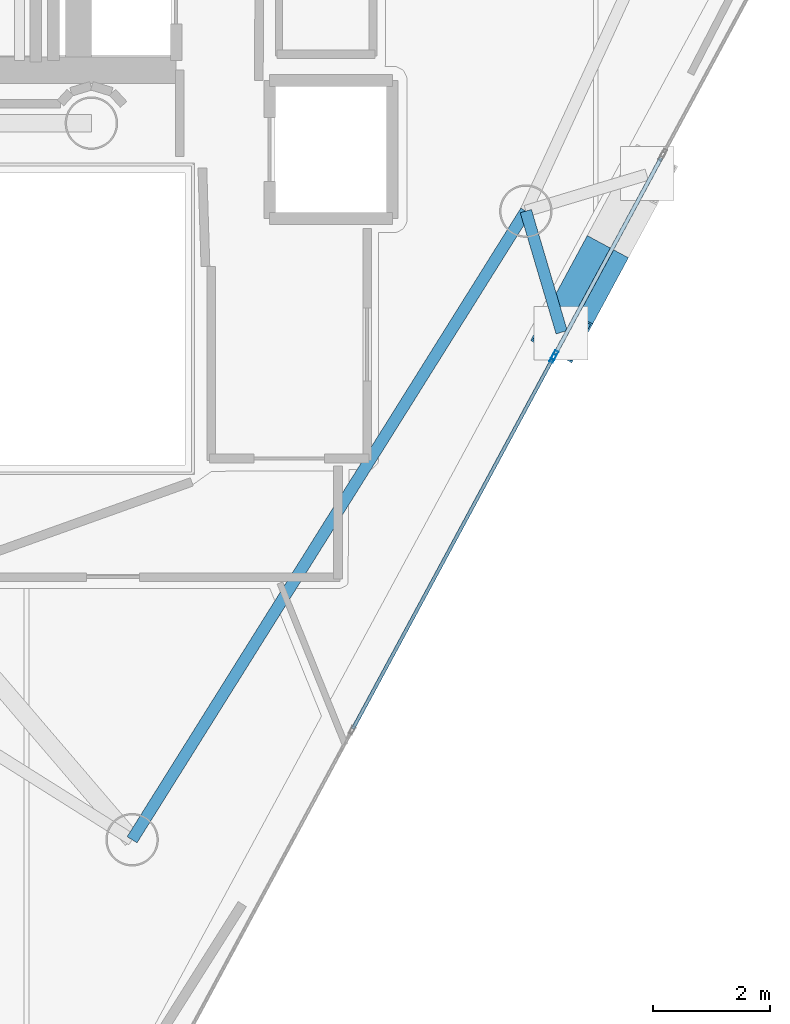
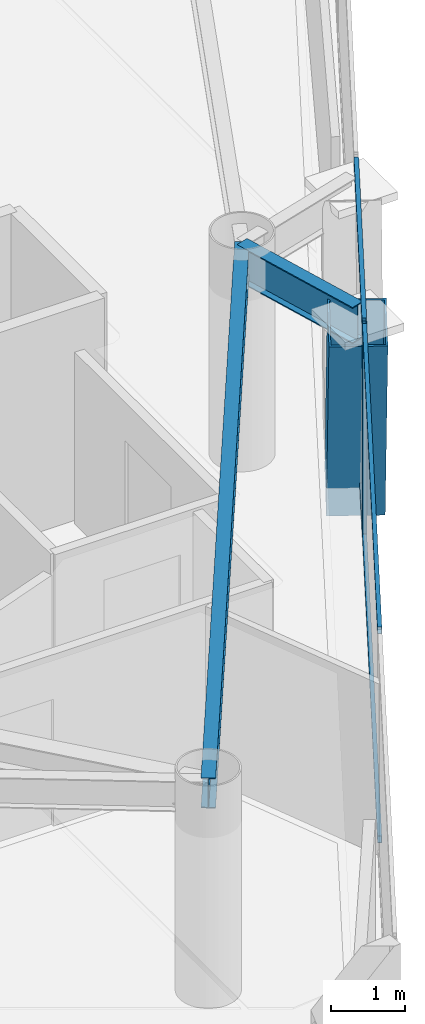
# One storey, part 6 of 24: 7 members, 2 beams, 2 elements without a shape of their own.
"""IFC4 building model written with IfcOpenShell, lengths in metres."""

from ifc_helpers import new_model, si_unit, direction, frame, origin, origin_2d, place, context, subcontext, project, spatial, hollow_rectangle, i_section, extrude, material, layer, layer_set, material_profile, profile_set, type_object, element, aggregate, save


model = new_model("IFC4")

# Units and contexts
model_context = context("Model", 3, precision=1e-05, world=origin(), true_north=direction((0.0, 1.0)))
body_context = subcontext(model_context, "Body", "Model", "MODEL_VIEW")
ifc_project = project(units=[si_unit("LENGTHUNIT", "METRE"), si_unit("AREAUNIT", "SQUARE_METRE"), si_unit("VOLUMEUNIT", "CUBIC_METRE"), si_unit("PLANEANGLEUNIT", "RADIAN"), si_unit("MASSUNIT", "GRAM", prefix="KILO")], contexts=[model_context])

# Site, building, storey
site_placement = place(None, origin())
site = spatial("IfcSite", under=ifc_project, at=site_placement, CompositionType="ELEMENT")
building_placement = place(site_placement, origin())
building = spatial("IfcBuilding", under=site, at=building_placement, Name="Qianvela Tower", CompositionType="ELEMENT")
storey_placement = place(building_placement, frame((0.0, 0.0, 306.5)))
storey = spatial("IfcBuildingStorey", under=building, at=storey_placement, Name="L79", CompositionType="ELEMENT", Elevation=306.5)

# Beams
ifc_material_1 = material(Name="Steel Q355B", Category="steel")
ifc_material_profile_1 = material_profile(ifc_material_1, i_section(OverallWidth=0.199951171875, OverallDepth=0.5, WebThickness=0.010009765625, FlangeThickness=0.01611328125, at=origin_2d()), Name="HN500x200x10x16")
ifc_profile_set_1 = profile_set([ifc_material_profile_1], Name="Steel Q355B")
beam_type_1 = type_object("IfcBeamType", Name="BM-HN500-GIRD", PredefinedType="BEAM", material=ifc_profile_set_1)
beam_1_placement = place(storey_placement, frame((39.095947265625, 11.587890625, 3.26806640625), z_axis=(0.530840654868, 0.847471650935, 0.0), x_axis=(-0.847471650935, 0.530840654868, 0.0)))
element("IfcBeam", 1, at=beam_1_placement, inside=storey, type_object=beam_type_1, Name="L79 Perimeter Ring Spandrel Girder 5", PredefinedType="BEAM", context=body_context, shape_type="SweptSolid", body=[
    extrude(i_section(OverallWidth=0.199951171875, OverallDepth=0.5, WebThickness=0.010009765625, FlangeThickness=0.01611328125, at=origin_2d()), origin(), (0.0, 0.0, 1.0), 12.693115234375),
])
ifc_material_2 = material(Name="Steel Q355B", Category="steel")
ifc_material_profile_2 = material_profile(ifc_material_2, i_section(OverallWidth=0.199951171875, OverallDepth=0.60009765625, WebThickness=0.010986328125, FlangeThickness=0.01708984375, at=origin_2d()), Name="HN600x200x11x17")
ifc_profile_set_2 = profile_set([ifc_material_profile_2], Name="Steel Q355B")
beam_type_2 = type_object("IfcBeamType", Name="BM-HN600-GIRD", PredefinedType="BEAM", material=ifc_profile_set_2)
beam_2_placement = place(storey_placement, frame((45.833984375, 22.344970703125, 3.218017578125), z_axis=(0.283719134892, -0.958907426447, 0.0), x_axis=(0.958907426447, 0.283719134892, 0.0)))
element("IfcBeam", 2, at=beam_2_placement, inside=storey, type_object=beam_type_2, Name="L79 Mega-Brace Column Tie Bracket F3-1", PredefinedType="BEAM", context=body_context, shape_type="SweptSolid", body=[
    extrude(i_section(OverallWidth=0.199951171875, OverallDepth=0.60009765625, WebThickness=0.010986328125, FlangeThickness=0.01708984375, at=origin_2d()), origin(), (0.0, 0.0, 1.0), 2.16162109375),
])

# Curtain wall, members
ifc_material_3 = material(Name="Anodised Architectural Aluminium and Insulated Spandrel Panel", Category="aluminium")
ifc_layer_1 = layer(ifc_material_3, 0.179931640625)
ifc_layer_set_1 = layer_set([ifc_layer_1], Name="Anodised Architectural Aluminium and Insulated Spandrel Panel")
curtain_wall_type_1 = type_object("IfcCurtainWallType", Name="CW-BRACEBAY", PredefinedType="USERDEFINED", material=ifc_layer_set_1)
curtain_wall_1_placement = place(storey_placement, origin())
curtain_wall_1 = element("IfcCurtainWall", 3, at=curtain_wall_1_placement, inside=storey, type_object=curtain_wall_type_1, Name="L79 CW-BRACEBAY Curtain Wall 06B", ObjectType="CURTAIN_WALL_SYSTEM", PredefinedType="USERDEFINED")
ifc_material_4 = material(Name="Anodised Architectural Aluminium 6063-T6", Category="aluminium")
ifc_material_profile_3 = material_profile(ifc_material_4, hollow_rectangle(XDim=0.06494140625, YDim=0.159912109375, WallThickness=0.0048828125, at=origin_2d()), Name="ALU-MULL-65x160")
ifc_profile_set_3 = profile_set([ifc_material_profile_3], Name="Anodised Architectural Aluminium 6063-T6")
member_type_1 = type_object("IfcMemberType", Name="CW-BRACEBAY-MULL", PredefinedType="MULLION", material=ifc_profile_set_3)
member_1_placement = place(storey_placement, frame((46.3271484375, 19.881103515625, 0.0), z_axis=(0.0, 0.0, 1.0), x_axis=(-0.879907525338, 0.475144974563, 0.0)))
member_1 = element("IfcMember", 4, at=member_1_placement, type_object=member_type_1, Name="CW-9 mullion 1", PredefinedType="MULLION", context=body_context, shape_type="SweptSolid", body=[
    extrude(hollow_rectangle(XDim=0.06494140625, YDim=0.159912109375, WallThickness=0.0048828125, at=origin_2d()), origin(), (0.0, 0.0, 1.0), 3.52001953125),
])
ifc_material_5 = material(Name="Anodised Architectural Aluminium 6063-T6", Category="aluminium")
ifc_material_profile_4 = material_profile(ifc_material_5, hollow_rectangle(XDim=0.06494140625, YDim=0.1298828125, WallThickness=0.00439453125, at=origin_2d()), Name="ALU-TRAN-65x130")
ifc_profile_set_4 = profile_set([ifc_material_profile_4], Name="Anodised Architectural Aluminium 6063-T6")
member_type_2 = type_object("IfcMemberType", Name="CW-BRACEBAY-TRAN", PredefinedType="USERDEFINED", material=ifc_profile_set_4)
member_2_placement = place(storey_placement, frame((46.342529296875, 19.90966796875, 0.032470703125), z_axis=(0.475107130718, 0.879927959745, 0.0), x_axis=(-0.879927959745, 0.475107130718, 0.0)))
member_2 = element("IfcMember", 5, at=member_2_placement, type_object=member_type_2, Name="CW-9 transom 1.1", ObjectType="TRANSOM", PredefinedType="USERDEFINED", context=body_context, shape_type="SweptSolid", body=[
    extrude(hollow_rectangle(XDim=0.06494140625, YDim=0.1298828125, WallThickness=0.00439453125, at=origin_2d()), origin(), (0.0, 0.0, 1.0), 3.800048828125),
])
member_3_placement = place(storey_placement, frame((46.342529296875, 19.90966796875, 3.487548828125), z_axis=(0.475107130718, 0.879927959745, 0.0), x_axis=(-0.879927959745, 0.475107130718, 0.0)))
member_3 = element("IfcMember", 6, at=member_3_placement, type_object=member_type_2, Name="CW-9 transom 1.2", ObjectType="TRANSOM", PredefinedType="USERDEFINED", context=body_context, shape_type="SweptSolid", body=[
    extrude(hollow_rectangle(XDim=0.06494140625, YDim=0.1298828125, WallThickness=0.00439453125, at=origin_2d()), origin(), (0.0, 0.0, 1.0), 3.800048828125),
])
aggregate(curtain_wall_1, [member_1, member_2, member_3])

ifc_material_6 = material(Name="Anodised Architectural Aluminium and Low-E Glass", Category="aluminium")
ifc_layer_2 = layer(ifc_material_6, 0.14990234375)
ifc_layer_set_2 = layer_set([ifc_layer_2], Name="Anodised Architectural Aluminium and Low-E Glass")
curtain_wall_type_2 = type_object("IfcCurtainWallType", Name="CW-COLIV-Z78", PredefinedType="USERDEFINED", material=ifc_layer_set_2)
curtain_wall_2_placement = place(storey_placement, origin())
curtain_wall_2 = element("IfcCurtainWall", 7, at=curtain_wall_2_placement, inside=storey, type_object=curtain_wall_type_2, Name="L79 CW-COLIV-Z78 Curtain Wall 06A", ObjectType="CURTAIN_WALL_SYSTEM", PredefinedType="USERDEFINED")
ifc_material_7 = material(Name="Anodised Architectural Aluminium 6063-T6", Category="aluminium")
ifc_material_profile_5 = material_profile(ifc_material_7, hollow_rectangle(XDim=0.06005859375, YDim=0.139892578125, WallThickness=0.00439453125, at=origin_2d()), Name="ALU-MULL-60x140")
ifc_profile_set_5 = profile_set([ifc_material_profile_5], Name="Anodised Architectural Aluminium 6063-T6")
member_type_3 = type_object("IfcMemberType", Name="CW-COLIV-Z78-MULL", PredefinedType="MULLION", material=ifc_profile_set_5)
member_4_placement = place(storey_placement, frame((46.29736328125, 19.826171875, 0.0), z_axis=(0.0, 0.0, 1.0), x_axis=(-0.879924445334, 0.475113639568, 0.0)))
member_4 = element("IfcMember", 8, at=member_4_placement, type_object=member_type_3, Name="CW-6 mullion 3", PredefinedType="MULLION", context=body_context, shape_type="SweptSolid", body=[
    extrude(hollow_rectangle(XDim=0.06005859375, YDim=0.139892578125, WallThickness=0.00439453125, at=origin_2d()), origin(), (0.0, 0.0, 1.0), 3.52001953125),
])
ifc_material_8 = material(Name="Anodised Architectural Aluminium 6063-T6", Category="aluminium")
ifc_material_profile_6 = material_profile(ifc_material_8, hollow_rectangle(XDim=0.06005859375, YDim=0.114990234375, WallThickness=0.00390625, at=origin_2d()), Name="ALU-TRAN-60x115")
ifc_profile_set_6 = profile_set([ifc_material_profile_6], Name="Anodised Architectural Aluminium 6063-T6")
member_type_4 = type_object("IfcMemberType", Name="CW-COLIV-Z78-TRAN", PredefinedType="USERDEFINED", material=ifc_profile_set_6)
member_5_placement = place(storey_placement, frame((42.874267578125, 13.486328125, 0.030029296875), z_axis=(0.475112032077, 0.879925313294, 0.0), x_axis=(-0.879925313294, 0.475112032077, 0.0)))
member_5 = element("IfcMember", 9, at=member_5_placement, type_object=member_type_4, Name="CW-6 transom 2.1", ObjectType="TRANSOM", PredefinedType="USERDEFINED", context=body_context, shape_type="SweptSolid", body=[
    extrude(hollow_rectangle(XDim=0.06005859375, YDim=0.114990234375, WallThickness=0.00390625, at=origin_2d()), origin(), (0.0, 0.0, 1.0), 7.175048828125),
])
member_6_placement = place(storey_placement, frame((42.874267578125, 13.486328125, 3.489990234375), z_axis=(0.475112032077, 0.879925313294, 0.0), x_axis=(-0.879925313294, 0.475112032077, 0.0)))
member_6 = element("IfcMember", 10, at=member_6_placement, type_object=member_type_4, Name="CW-6 transom 2.2", ObjectType="TRANSOM", PredefinedType="USERDEFINED", context=body_context, shape_type="SweptSolid", body=[
    extrude(hollow_rectangle(XDim=0.06005859375, YDim=0.114990234375, WallThickness=0.00390625, at=origin_2d()), origin(), (0.0, 0.0, 1.0), 7.175048828125),
])
aggregate(curtain_wall_2, [member_4, member_5, member_6])

# Member
ifc_material_9 = material(Name="Steel Q420GJC", Category="steel")
ifc_material_profile_7 = material_profile(ifc_material_9, hollow_rectangle(XDim=0.800048828125, YDim=0.800048828125, WallThickness=0.028076171875, at=origin_2d()), Name="MBOX-800x800x28")
ifc_profile_set_7 = profile_set([ifc_material_profile_7], Name="Steel Q420GJC")
member_type_5 = type_object("IfcMemberType", Name="MBR-MBRACE-800", PredefinedType="BRACE", material=ifc_profile_set_7)
member_7_placement = place(storey_placement, frame((47.058349609375, 21.40380859375, -0.48193359375), z_axis=(-0.156004742522, -0.288886129281, 0.944567268446), x_axis=(0.879897460687, -0.475163612535, 0.0)))
element("IfcMember", 11, at=member_7_placement, inside=storey, type_object=member_type_5, Name="L79 Tier 13 Exterior Mega-Brace F3A", PredefinedType="BRACE", context=body_context, shape_type="SweptSolid", body=[
    extrude(hollow_rectangle(XDim=0.800048828125, YDim=0.800048828125, WallThickness=0.028076171875, at=origin_2d()), origin(), (0.0, 0.0, 1.0), 3.9169921875),
])

save(model, "model.ifc")
